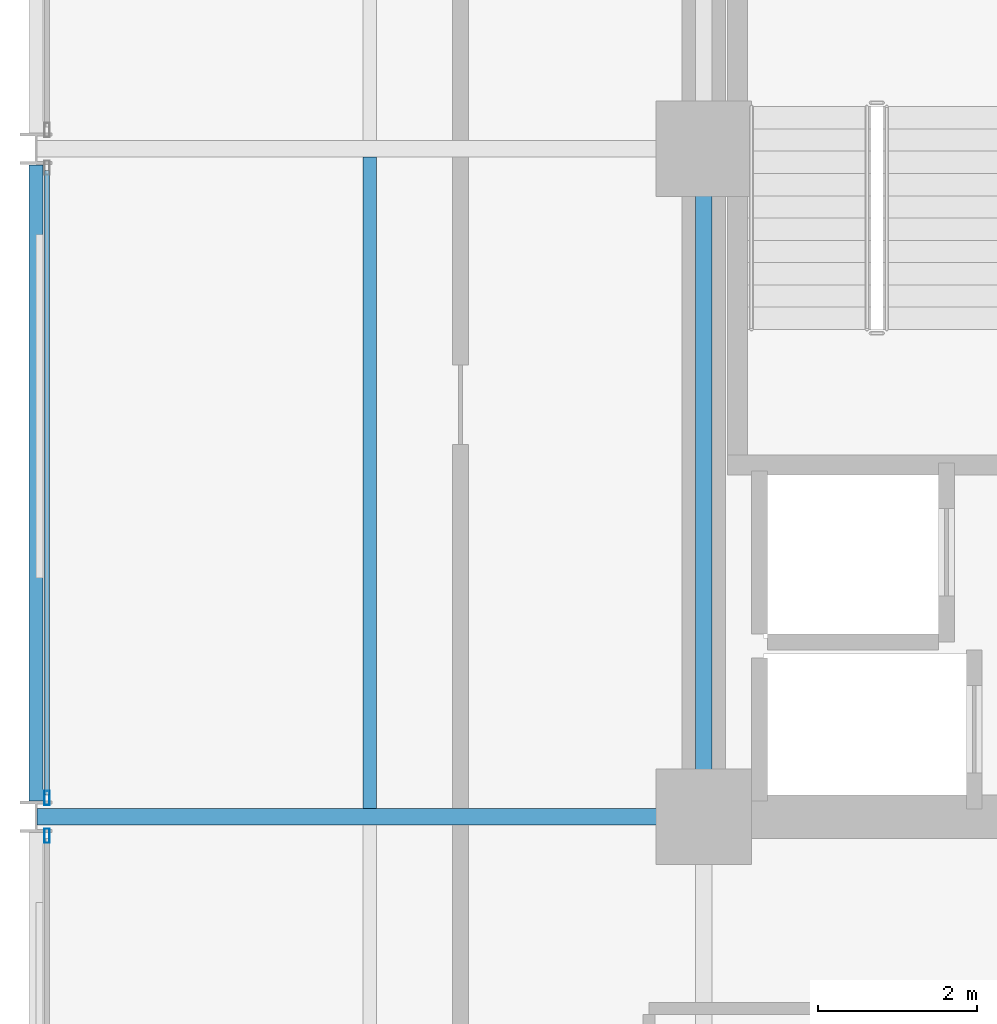
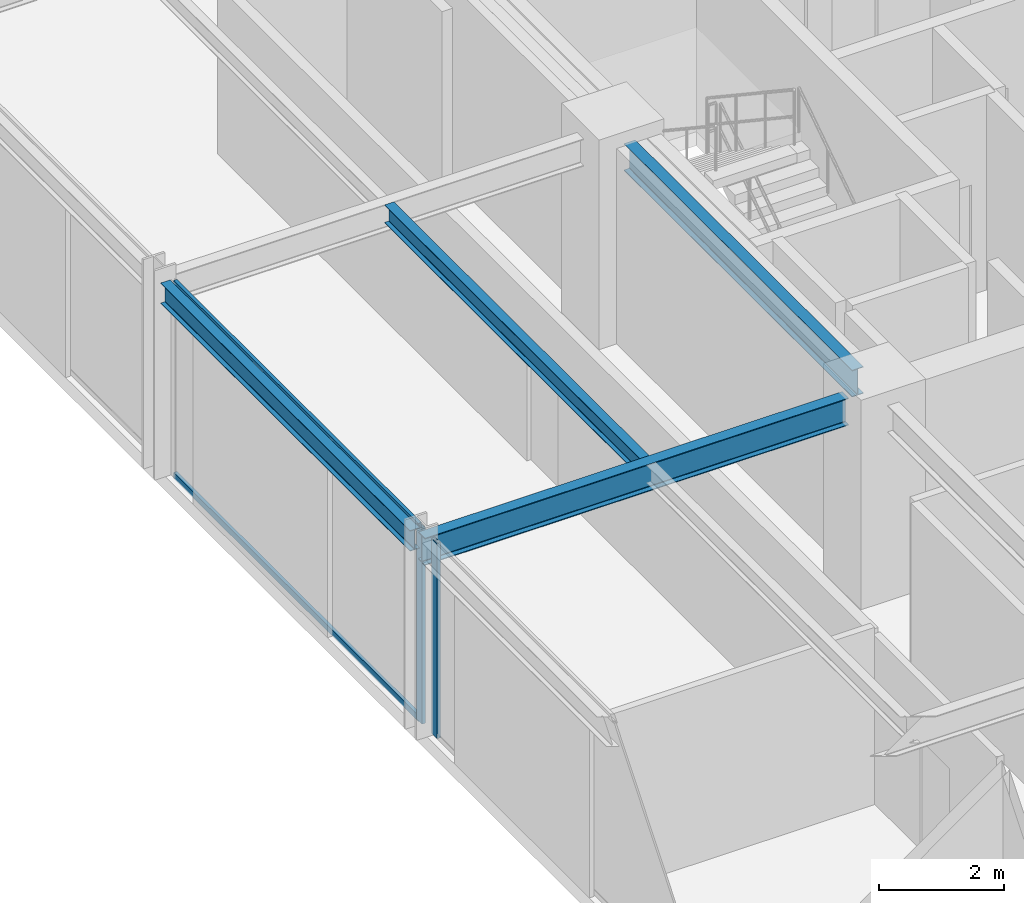
# One storey, part 10 of 29: 4 beams, 4 members, 2 elements without a shape of their own.
"""IFC4 building model written with IfcOpenShell, lengths in metres."""

from ifc_helpers import new_model, si_unit, direction, frame, origin, origin_2d, place, context, subcontext, project, spatial, hollow_rectangle, i_section, extrude, material, layer, layer_set, material_profile, profile_set, type_object, element, aggregate, save


model = new_model("IFC4")

# Units and contexts
model_context = context("Model", 3, precision=1e-05, world=origin(), true_north=direction((0.0, 1.0)))
body_context = subcontext(model_context, "Body", "Model", "MODEL_VIEW")
ifc_project = project(units=[si_unit("LENGTHUNIT", "METRE"), si_unit("AREAUNIT", "SQUARE_METRE"), si_unit("VOLUMEUNIT", "CUBIC_METRE"), si_unit("PLANEANGLEUNIT", "RADIAN"), si_unit("MASSUNIT", "GRAM", prefix="KILO")], contexts=[model_context])

# Site, building, storey
site_placement = place(None, origin())
site = spatial("IfcSite", under=ifc_project, at=site_placement, CompositionType="ELEMENT")
building_placement = place(site_placement, origin())
building = spatial("IfcBuilding", under=site, at=building_placement, Name="Nerrivon Quay Data Exchange", CompositionType="ELEMENT")
storey_placement = place(building_placement, frame((0.0, 0.0, 150.0)))
storey = spatial("IfcBuildingStorey", under=building, at=storey_placement, Name="L35", CompositionType="ELEMENT", Elevation=150.0)

# Beams
ifc_material_1 = material(Name="Steel Grade 350", Category="steel")
ifc_material_profile_1 = material_profile(ifc_material_1, i_section(OverallWidth=0.208984375, OverallDepth=0.532958984375, WebThickness=0.01025390625, FlangeThickness=0.015625, FilletRadius=0.013916015625, at=origin_2d()), Name="530UB92.4")
ifc_profile_set_1 = profile_set([ifc_material_profile_1], Name="Steel Grade 350")
beam_type_1 = type_object("IfcBeamType", Name="BM-G3-530UB92", PredefinedType="BEAM", material=ifc_profile_set_1)
beam_1_placement = place(storey_placement, frame((0.012451171875, 25.199951171875, 3.55859375), z_axis=(1.0, 0.0, 0.0), x_axis=(0.0, 1.0, 0.0)))
element("IfcBeam", 1, at=beam_1_placement, inside=storey, type_object=beam_type_1, Name="L35 EW Girder Y=25.2 (0.0..8.4)", PredefinedType="BEAM", context=body_context, shape_type="SweptSolid", body=[
    extrude(i_section(OverallWidth=0.208984375, OverallDepth=0.532958984375, WebThickness=0.01025390625, FlangeThickness=0.015625, FilletRadius=0.013916015625, at=origin_2d()), origin(), (0.0, 0.0, 1.0), 7.84765625),
])
ifc_material_profile_2 = material_profile(ifc_material_1, i_section(OverallWidth=0.208984375, OverallDepth=0.528076171875, WebThickness=0.009521484375, FlangeThickness=0.01318359375, FilletRadius=0.013916015625, at=origin_2d()), Name="530UB82.0")
ifc_profile_set_2 = profile_set([ifc_material_profile_2], Name="Steel Grade 350")
beam_type_2 = type_object("IfcBeamType", Name="BM-G4-530UB82", PredefinedType="BEAM", material=ifc_profile_set_2)
beam_2_placement = place(storey_placement, frame((8.39990234375, 25.739990234375, 3.56103515625), z_axis=(0.0, 1.0, 0.0), x_axis=(-1.0, 0.0, 0.0)))
element("IfcBeam", 2, at=beam_2_placement, inside=storey, type_object=beam_type_2, Name="L35 NS Girder X=8.4 (25.2..33.6)", PredefinedType="BEAM", context=body_context, shape_type="SweptSolid", body=[
    extrude(i_section(OverallWidth=0.208984375, OverallDepth=0.528076171875, WebThickness=0.009521484375, FlangeThickness=0.01318359375, FilletRadius=0.013916015625, at=origin_2d()), origin(), (0.0, 0.0, 1.0), 7.320068359375),
])
ifc_material_profile_3 = material_profile(ifc_material_1, i_section(OverallWidth=0.1708984375, OverallDepth=0.35595703125, WebThickness=0.00732421875, FlangeThickness=0.011474609375, FilletRadius=0.011474609375, at=origin_2d()), Name="360UB50.7")
ifc_profile_set_3 = profile_set([ifc_material_profile_3], Name="Steel Grade 350")
beam_type_3 = type_object("IfcBeamType", Name="BM-J4-360UB51", PredefinedType="JOIST", material=ifc_profile_set_3)
beam_3_placement = place(storey_placement, frame((4.199951171875, 25.304443359375, 3.64697265625), z_axis=(0.0, 1.0, 0.0), x_axis=(-1.0, 0.0, 0.0)))
element("IfcBeam", 3, at=beam_3_placement, inside=storey, type_object=beam_type_3, Name="L35 Secondary Joist X=4.2 (25.2..33.6)", PredefinedType="JOIST", context=body_context, shape_type="SweptSolid", body=[
    extrude(i_section(OverallWidth=0.1708984375, OverallDepth=0.35595703125, WebThickness=0.00732421875, FlangeThickness=0.011474609375, FilletRadius=0.011474609375, at=origin_2d()), origin(), (0.0, 0.0, 1.0), 8.191162109375),
])
ifc_material_profile_4 = material_profile(ifc_material_1, i_section(OverallWidth=0.177978515625, OverallDepth=0.403076171875, WebThickness=0.007568359375, FlangeThickness=0.010986328125, FilletRadius=0.011474609375, at=origin_2d()), Name="410UB53.7")
ifc_profile_set_4 = profile_set([ifc_material_profile_4], Name="Steel Grade 350")
beam_type_4 = type_object("IfcBeamType", Name="BM-SP2-410UB54", PredefinedType="SPANDREL", material=ifc_profile_set_4)
beam_4_placement = place(storey_placement, frame((0.0, 25.39990234375, 3.62353515625), z_axis=(0.0, 1.0, 0.0), x_axis=(-1.0, 0.0, 0.0)))
element("IfcBeam", 4, at=beam_4_placement, inside=storey, type_object=beam_type_4, Name="L35 NS Girder X=0.0 (25.2..33.6)", PredefinedType="SPANDREL", context=body_context, shape_type="SweptSolid", body=[
    extrude(i_section(OverallWidth=0.177978515625, OverallDepth=0.403076171875, WebThickness=0.007568359375, FlangeThickness=0.010986328125, FilletRadius=0.011474609375, at=origin_2d()), origin(), (0.0, 0.0, 1.0), 8.0),
])

# Curtain wall, member
ifc_material_2 = material(Name="Anodised aluminium 6063-T6", Category="aluminium")
ifc_layer = layer(ifc_material_2, 0.2099609375)
ifc_layer_set = layer_set([ifc_layer], Name="Anodised aluminium 6063-T6")
curtain_wall_type = type_object("IfcCurtainWallType", Name="CW-SYS-02", PredefinedType="NOTDEFINED", material=ifc_layer_set)
curtain_wall_1_placement = place(storey_placement, origin())
curtain_wall_1 = element("IfcCurtainWall", 5, at=curtain_wall_1_placement, inside=storey, type_object=curtain_wall_type, Name="L35 Unitised Curtain Wall 13", PredefinedType="NOTDEFINED")
ifc_material_profile_5 = material_profile(ifc_material_2, hollow_rectangle(XDim=0.06494140625, YDim=0.179931640625, WallThickness=0.00341796875, at=origin_2d()), Name="ALU-MULL-180x65")
ifc_profile_set_5 = profile_set([ifc_material_profile_5], Name="Anodised aluminium 6063-T6")
member_type_1 = type_object("IfcMemberType", Name="CWM-180x65", PredefinedType="MULLION", material=ifc_profile_set_5)
member_1_placement = place(storey_placement, frame((0.139892578125, 24.96240234375, 0.0), z_axis=(0.0, 0.0, 1.0), x_axis=(-1.0, 0.0, 0.0)))
member_1 = element("IfcMember", 6, at=member_1_placement, type_object=member_type_1, Name="CW02 mullion 2", PredefinedType="MULLION", context=body_context, shape_type="SweptSolid", body=[
    extrude(hollow_rectangle(XDim=0.06494140625, YDim=0.179931640625, WallThickness=0.00341796875, at=origin_2d()), origin(), (0.0, 0.0, 1.0), 3.824951171875),
])
aggregate(curtain_wall_1, [member_1])

# Curtain wall, members
curtain_wall_2_placement = place(storey_placement, origin())
curtain_wall_2 = element("IfcCurtainWall", 7, at=curtain_wall_2_placement, inside=storey, type_object=curtain_wall_type, Name="L35 Unitised Curtain Wall 14", PredefinedType="NOTDEFINED")
member_2_placement = place(storey_placement, frame((0.139892578125, 25.4375, 0.0), z_axis=(0.0, 0.0, 1.0), x_axis=(-1.0, 0.0, 0.0)))
member_2 = element("IfcMember", 8, at=member_2_placement, type_object=member_type_1, Name="CW02 mullion 1", PredefinedType="MULLION", context=body_context, shape_type="SweptSolid", body=[
    extrude(hollow_rectangle(XDim=0.06494140625, YDim=0.179931640625, WallThickness=0.00341796875, at=origin_2d()), origin(), (0.0, 0.0, 1.0), 3.824951171875),
])
ifc_material_profile_6 = material_profile(ifc_material_2, hollow_rectangle(XDim=0.06005859375, YDim=0.1201171875, WallThickness=0.003173828125, at=origin_2d()), Name="ALU-TRAN-120x60")
ifc_profile_set_6 = profile_set([ifc_material_profile_6], Name="Anodised aluminium 6063-T6")
member_type_2 = type_object("IfcMemberType", Name="CWT-120x60", PredefinedType="USERDEFINED", material=ifc_profile_set_6)
member_3_placement = place(storey_placement, frame((0.139892578125, 25.47509765625, 0.032470703125), z_axis=(0.0, 1.0, 0.0), x_axis=(-1.0, 0.0, 0.0)))
member_3 = element("IfcMember", 9, at=member_3_placement, type_object=member_type_2, Name="CW02 transom 1.1", ObjectType="TRANSOM", PredefinedType="USERDEFINED", context=body_context, shape_type="SweptSolid", body=[
    extrude(hollow_rectangle(XDim=0.06005859375, YDim=0.1201171875, WallThickness=0.003173828125, at=origin_2d()), origin(), (0.0, 0.0, 1.0), 7.849853515625),
])
member_4_placement = place(storey_placement, frame((0.139892578125, 25.47509765625, 3.79248046875), z_axis=(0.0, 1.0, 0.0), x_axis=(-1.0, 0.0, 0.0)))
member_4 = element("IfcMember", 10, at=member_4_placement, type_object=member_type_2, Name="CW02 transom 1.2", ObjectType="TRANSOM", PredefinedType="USERDEFINED", context=body_context, shape_type="SweptSolid", body=[
    extrude(hollow_rectangle(XDim=0.06005859375, YDim=0.1201171875, WallThickness=0.003173828125, at=origin_2d()), origin(), (0.0, 0.0, 1.0), 7.849853515625),
])
aggregate(curtain_wall_2, [member_2, member_3, member_4])

save(model, "model.ifc")
